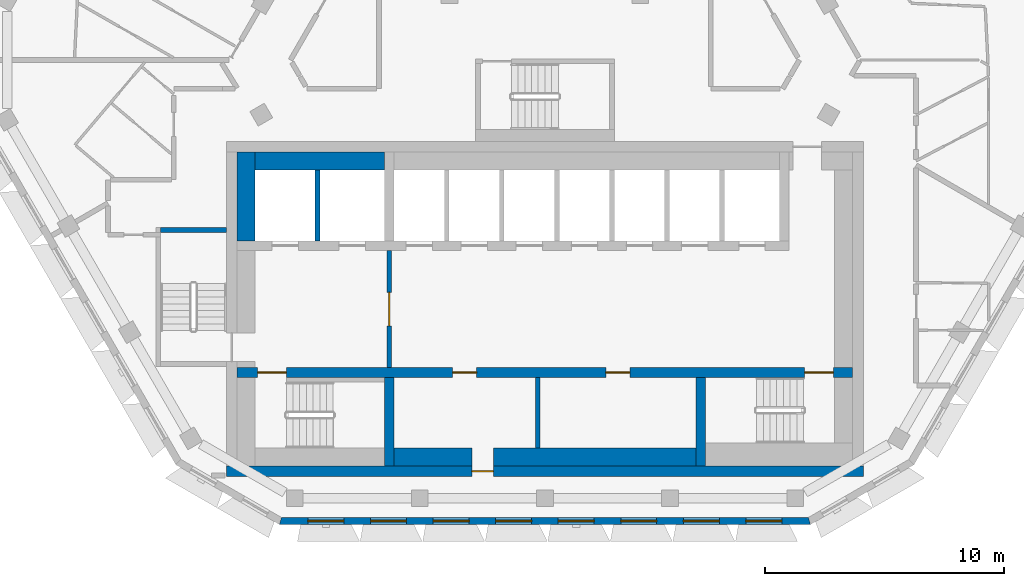
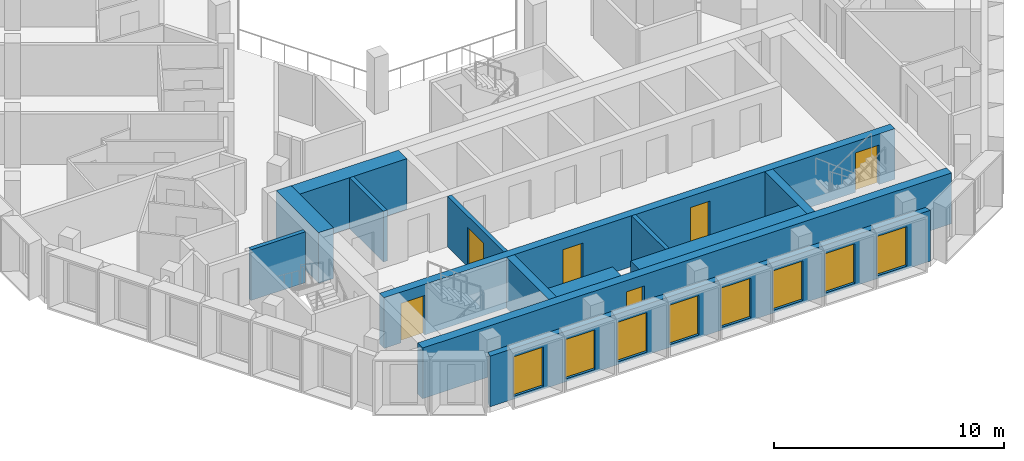
# One storey, part 3 of 16: 13 walls, 8 windows, 6 doors, 14 openings.
"""IFC4 building model written with IfcOpenShell, lengths in metres."""

from ifc_helpers import new_model, si_unit, direction, frame, frame_2d, origin, place, context, subcontext, project, spatial, polyline, rectangle, outline, extrude, material, layer, layer_set, type_object, element, fill, save


model = new_model("IFC4")

# Units and contexts
model_context = context("Model", 3, precision=1e-05, world=origin(), true_north=direction((0.0, 1.0)))
body_context = subcontext(model_context, "Body", "Model", "MODEL_VIEW")
ifc_project = project(units=[si_unit("LENGTHUNIT", "METRE"), si_unit("AREAUNIT", "SQUARE_METRE"), si_unit("VOLUMEUNIT", "CUBIC_METRE"), si_unit("PLANEANGLEUNIT", "RADIAN"), si_unit("MASSUNIT", "GRAM", prefix="KILO")], contexts=[model_context])

# Site, building, storey
site_placement = place(None, origin())
site = spatial("IfcSite", under=ifc_project, at=site_placement, CompositionType="ELEMENT")
building_placement = place(site_placement, origin())
building = spatial("IfcBuilding", under=site, at=building_placement, Name="Beryl Residences", CompositionType="ELEMENT")
storey_placement = place(building_placement, frame((0.0, 0.0, 214.800048828125)))
storey = spatial("IfcBuildingStorey", under=building, at=storey_placement, Name="L66", CompositionType="ELEMENT", Elevation=214.800048828125)

# Wall, openings, windows
ifc_material_1 = material(Name="Composite metal panel with mineral wool insulation")
ifc_layer_1 = layer(ifc_material_1, 0.300048828125)
ifc_layer_set_1 = layer_set([ifc_layer_1], Name="ES1 pale metal composite panel wall 300 mm")
wall_type_1 = type_object("IfcWallType", Name="ES1 pale metal composite panel wall 300 mm", PredefinedType="SOLIDWALL", material=ifc_layer_set_1)
wall_1_placement = place(storey_placement, frame((-11.0849609375, -20.85009765625, 0.0), z_axis=(0.0, 0.0, 1.0), x_axis=(1.0, 0.0, 0.0)))
wall_1 = element("IfcWall", 1, at=wall_1_placement, inside=storey, type_object=wall_type_1, Name="ES1 external wall L66 S", PredefinedType="SOLIDWALL", context=body_context, shape_type="SweptSolid", body=[
    extrude(outline(polyline([(0.0, -0.14990234375), (22.169921875, -0.14990234375), (22.089599609375, 0.14990234375), (0.080322265625, 0.14990234375), (0.0, -0.14990234375)])), origin(), (0.0, 0.0, 1.0), 2.699951171875),
])
opening_1_placement = place(wall_1_placement, frame((1.19091796875, 0.0, 0.14990234375)))
opening_1 = element("IfcOpeningElement", 2, at=opening_1_placement, cuts=wall_1, Name="Opening W1", PredefinedType="OPENING", context=body_context, shape_type="SweptSolid", body=[
    extrude(rectangle(XDim=1.5, YDim=2.10009765625, at=frame_2d((0.75, 1.050048828125))), frame((0.0, 0.159912109375, 0.0), z_axis=(0.0, -1.0, 0.0), x_axis=(1.0, 0.0, 0.0)), (0.0, 0.0, 1.0), 0.320068359375),
])
opening_2_placement = place(wall_1_placement, frame((3.803955078125, 0.0, 0.14990234375)))
opening_2 = element("IfcOpeningElement", 3, at=opening_2_placement, cuts=wall_1, Name="Opening W1", PredefinedType="OPENING", context=body_context, shape_type="SweptSolid", body=[
    extrude(rectangle(XDim=1.5, YDim=2.10009765625, at=frame_2d((0.75, 1.050048828125))), frame((0.0, 0.159912109375, 0.0), z_axis=(0.0, -1.0, 0.0), x_axis=(1.0, 0.0, 0.0)), (0.0, 0.0, 1.0), 0.320068359375),
])
opening_3_placement = place(wall_1_placement, frame((6.416015625, 0.0, 0.14990234375)))
opening_3 = element("IfcOpeningElement", 4, at=opening_3_placement, cuts=wall_1, Name="Opening W1", PredefinedType="OPENING", context=body_context, shape_type="SweptSolid", body=[
    extrude(rectangle(XDim=1.5, YDim=2.10009765625, at=frame_2d((0.75, 1.050048828125))), frame((0.0, 0.159912109375, 0.0), z_axis=(0.0, -1.0, 0.0), x_axis=(1.0, 0.0, 0.0)), (0.0, 0.0, 1.0), 0.320068359375),
])
opening_4_placement = place(wall_1_placement, frame((9.029052734375, 0.0, 0.14990234375)))
opening_4 = element("IfcOpeningElement", 5, at=opening_4_placement, cuts=wall_1, Name="Opening W1", PredefinedType="OPENING", context=body_context, shape_type="SweptSolid", body=[
    extrude(rectangle(XDim=1.5, YDim=2.10009765625, at=frame_2d((0.75, 1.050048828125))), frame((0.0, 0.159912109375, 0.0), z_axis=(0.0, -1.0, 0.0), x_axis=(1.0, 0.0, 0.0)), (0.0, 0.0, 1.0), 0.320068359375),
])
opening_5_placement = place(wall_1_placement, frame((11.64111328125, 0.0, 0.14990234375)))
opening_5 = element("IfcOpeningElement", 6, at=opening_5_placement, cuts=wall_1, Name="Opening W1", PredefinedType="OPENING", context=body_context, shape_type="SweptSolid", body=[
    extrude(rectangle(XDim=1.5, YDim=2.10009765625, at=frame_2d((0.75, 1.050048828125))), frame((0.0, 0.159912109375, 0.0), z_axis=(0.0, -1.0, 0.0), x_axis=(1.0, 0.0, 0.0)), (0.0, 0.0, 1.0), 0.320068359375),
])
opening_6_placement = place(wall_1_placement, frame((14.25390625, 0.0, 0.14990234375)))
opening_6 = element("IfcOpeningElement", 7, at=opening_6_placement, cuts=wall_1, Name="Opening W1", PredefinedType="OPENING", context=body_context, shape_type="SweptSolid", body=[
    extrude(rectangle(XDim=1.5, YDim=2.10009765625, at=frame_2d((0.75, 1.050048828125))), frame((0.0, 0.159912109375, 0.0), z_axis=(0.0, -1.0, 0.0), x_axis=(1.0, 0.0, 0.0)), (0.0, 0.0, 1.0), 0.320068359375),
])
opening_7_placement = place(wall_1_placement, frame((16.865966796875, 0.0, 0.14990234375)))
opening_7 = element("IfcOpeningElement", 8, at=opening_7_placement, cuts=wall_1, Name="Opening W1", PredefinedType="OPENING", context=body_context, shape_type="SweptSolid", body=[
    extrude(rectangle(XDim=1.5, YDim=2.10009765625, at=frame_2d((0.75, 1.050048828125))), frame((0.0, 0.159912109375, 0.0), z_axis=(0.0, -1.0, 0.0), x_axis=(1.0, 0.0, 0.0)), (0.0, 0.0, 1.0), 0.320068359375),
])
opening_8_placement = place(wall_1_placement, frame((19.47900390625, 0.0, 0.14990234375)))
opening_8 = element("IfcOpeningElement", 9, at=opening_8_placement, cuts=wall_1, Name="Opening W1", PredefinedType="OPENING", context=body_context, shape_type="SweptSolid", body=[
    extrude(rectangle(XDim=1.5, YDim=2.10009765625, at=frame_2d((0.75, 1.050048828125))), frame((0.0, 0.159912109375, 0.0), z_axis=(0.0, -1.0, 0.0), x_axis=(1.0, 0.0, 0.0)), (0.0, 0.0, 1.0), 0.320068359375),
])
ifc_material_2 = material(Name="Aluminium and clear glass", Category="aluminium")
window_type = type_object("IfcWindowType", Name="W1 cell window 1500 x 2100 mm", PartitioningType="SINGLE_PANEL", PredefinedType="WINDOW", material=ifc_material_2)
window_1_placement = place(opening_1_placement, origin())
window_1 = element("IfcWindow", 10, at=window_1_placement, inside=storey, type_object=window_type, Name="W1 window L66 S 1", OverallHeight=2.10009765625, OverallWidth=1.5, PartitioningType="SINGLE_PANEL", PredefinedType="WINDOW", context=body_context, shape_type="SweptSolid", body=[
    extrude(rectangle(XDim=1.5, YDim=2.10009765625, at=frame_2d((0.75, 1.050048828125))), frame((0.0, 0.030029296875, 0.0), z_axis=(0.0, -1.0, 0.0), x_axis=(1.0, 0.0, 0.0)), (0.0, 0.0, 1.0), 0.06005859375),
])
fill(opening_1, window_1)
window_2_placement = place(opening_2_placement, origin())
window_2 = element("IfcWindow", 11, at=window_2_placement, inside=storey, type_object=window_type, Name="W1 window L66 S 2", OverallHeight=2.10009765625, OverallWidth=1.5, PartitioningType="SINGLE_PANEL", PredefinedType="WINDOW", context=body_context, shape_type="SweptSolid", body=[
    extrude(rectangle(XDim=1.5, YDim=2.10009765625, at=frame_2d((0.75, 1.050048828125))), frame((0.0, 0.030029296875, 0.0), z_axis=(0.0, -1.0, 0.0), x_axis=(1.0, 0.0, 0.0)), (0.0, 0.0, 1.0), 0.06005859375),
])
fill(opening_2, window_2)
window_3_placement = place(opening_3_placement, origin())
window_3 = element("IfcWindow", 12, at=window_3_placement, inside=storey, type_object=window_type, Name="W1 window L66 S 3", OverallHeight=2.10009765625, OverallWidth=1.5, PartitioningType="SINGLE_PANEL", PredefinedType="WINDOW", context=body_context, shape_type="SweptSolid", body=[
    extrude(rectangle(XDim=1.5, YDim=2.10009765625, at=frame_2d((0.75, 1.050048828125))), frame((0.0, 0.030029296875, 0.0), z_axis=(0.0, -1.0, 0.0), x_axis=(1.0, 0.0, 0.0)), (0.0, 0.0, 1.0), 0.06005859375),
])
fill(opening_3, window_3)
window_4_placement = place(opening_4_placement, origin())
window_4 = element("IfcWindow", 13, at=window_4_placement, inside=storey, type_object=window_type, Name="W1 window L66 S 4", OverallHeight=2.10009765625, OverallWidth=1.5, PartitioningType="SINGLE_PANEL", PredefinedType="WINDOW", context=body_context, shape_type="SweptSolid", body=[
    extrude(rectangle(XDim=1.5, YDim=2.10009765625, at=frame_2d((0.75, 1.050048828125))), frame((0.0, 0.030029296875, 0.0), z_axis=(0.0, -1.0, 0.0), x_axis=(1.0, 0.0, 0.0)), (0.0, 0.0, 1.0), 0.06005859375),
])
fill(opening_4, window_4)
window_5_placement = place(opening_5_placement, origin())
window_5 = element("IfcWindow", 14, at=window_5_placement, inside=storey, type_object=window_type, Name="W1 window L66 S 5", OverallHeight=2.10009765625, OverallWidth=1.5, PartitioningType="SINGLE_PANEL", PredefinedType="WINDOW", context=body_context, shape_type="SweptSolid", body=[
    extrude(rectangle(XDim=1.5, YDim=2.10009765625, at=frame_2d((0.75, 1.050048828125))), frame((0.0, 0.030029296875, 0.0), z_axis=(0.0, -1.0, 0.0), x_axis=(1.0, 0.0, 0.0)), (0.0, 0.0, 1.0), 0.06005859375),
])
fill(opening_5, window_5)
window_6_placement = place(opening_6_placement, origin())
window_6 = element("IfcWindow", 15, at=window_6_placement, inside=storey, type_object=window_type, Name="W1 window L66 S 6", OverallHeight=2.10009765625, OverallWidth=1.5, PartitioningType="SINGLE_PANEL", PredefinedType="WINDOW", context=body_context, shape_type="SweptSolid", body=[
    extrude(rectangle(XDim=1.5, YDim=2.10009765625, at=frame_2d((0.75, 1.050048828125))), frame((0.0, 0.030029296875, 0.0), z_axis=(0.0, -1.0, 0.0), x_axis=(1.0, 0.0, 0.0)), (0.0, 0.0, 1.0), 0.06005859375),
])
fill(opening_6, window_6)
window_7_placement = place(opening_7_placement, origin())
window_7 = element("IfcWindow", 16, at=window_7_placement, inside=storey, type_object=window_type, Name="W1 window L66 S 7", OverallHeight=2.10009765625, OverallWidth=1.5, PartitioningType="SINGLE_PANEL", PredefinedType="WINDOW", context=body_context, shape_type="SweptSolid", body=[
    extrude(rectangle(XDim=1.5, YDim=2.10009765625, at=frame_2d((0.75, 1.050048828125))), frame((0.0, 0.030029296875, 0.0), z_axis=(0.0, -1.0, 0.0), x_axis=(1.0, 0.0, 0.0)), (0.0, 0.0, 1.0), 0.06005859375),
])
fill(opening_7, window_7)
window_8_placement = place(opening_8_placement, origin())
window_8 = element("IfcWindow", 17, at=window_8_placement, inside=storey, type_object=window_type, Name="W1 window L66 S 8", OverallHeight=2.10009765625, OverallWidth=1.5, PartitioningType="SINGLE_PANEL", PredefinedType="WINDOW", context=body_context, shape_type="SweptSolid", body=[
    extrude(rectangle(XDim=1.5, YDim=2.10009765625, at=frame_2d((0.75, 1.050048828125))), frame((0.0, 0.030029296875, 0.0), z_axis=(0.0, -1.0, 0.0), x_axis=(1.0, 0.0, 0.0)), (0.0, 0.0, 1.0), 0.06005859375),
])
fill(opening_8, window_8)

# Wall, opening, door
ifc_material_3 = material(Name="Concrete masonry", Category="masonry")
ifc_layer_2 = layer(ifc_material_3, 0.199951171875)
ifc_layer_set_2 = layer_set([ifc_layer_2], Name="PT13 lobby wall 200 mm")
wall_type_2 = type_object("IfcWallType", Name="PT13 lobby wall 200 mm", PredefinedType="PARTITIONING", material=ifc_layer_set_2)
wall_2_placement = place(storey_placement, frame((-6.5, -14.449951171875, 0.0), z_axis=(0.0, 0.0, 1.0), x_axis=(0.0, 1.0, 0.0)))
wall_2 = element("IfcWall", 18, at=wall_2_placement, inside=storey, type_object=wall_type_2, Name="Lobby wall 12", PredefinedType="PARTITIONING", context=body_context, shape_type="SweptSolid", body=[
    extrude(rectangle(XDim=4.89990234375, YDim=0.199951171875, at=frame_2d((2.449951171875, 0.0))), origin(), (0.0, 0.0, 1.0), 2.699951171875),
])
opening_9_placement = place(wall_2_placement, frame((3.14990234375, 0.0, 0.0), z_axis=(0.0, 0.0, 1.0), x_axis=(-1.0, 0.0, 0.0)))
opening_9 = element("IfcOpeningElement", 19, at=opening_9_placement, cuts=wall_2, Name="Opening FD-FFL", PredefinedType="OPENING", context=body_context, shape_type="SweptSolid", body=[
    extrude(rectangle(XDim=1.39990234375, YDim=2.10009765625, at=frame_2d((0.699951171875, 1.050048828125))), frame((0.0, 0.10986328125, 0.0), z_axis=(0.0, -1.0, 0.0), x_axis=(1.0, 0.0, 0.0)), (0.0, 0.0, 1.0), 0.219970703125),
])
ifc_material_4 = material(Name="Steel door leaf in steel frame", Category="steel")
door_type_1 = type_object("IfcDoorType", Name="D5 lobby door 1400 x 2100 mm", OperationType="DOUBLE_DOOR_SINGLE_SWING", PredefinedType="DOOR", material=ifc_material_4)
door_1_placement = place(opening_9_placement, origin())
door_1 = element("IfcDoor", 20, at=door_1_placement, inside=storey, type_object=door_type_1, Name="Door FD-FFL L66 001", OperationType="DOUBLE_DOOR_SINGLE_SWING", OverallHeight=2.10009765625, OverallWidth=1.39990234375, PredefinedType="DOOR", context=body_context, shape_type="SweptSolid", body=[
    extrude(rectangle(XDim=1.39990234375, YDim=2.10009765625, at=frame_2d((0.699951171875, 1.050048828125))), frame((0.0, 0.02490234375, 0.0), z_axis=(0.0, -1.0, 0.0), x_axis=(1.0, 0.0, 0.0)), (0.0, 0.0, 1.0), 0.050048828125),
])
fill(opening_9, door_1)

# Walls
ifc_material_5 = material(Name="Concrete C40/50", Category="concrete")
ifc_layer_3 = layer(ifc_material_5, 0.199951171875)
ifc_layer_set_3 = layer_set([ifc_layer_3], Name="PT5 stair enclosure wall 200 mm reinforced concrete C40/50")
wall_type_3 = type_object("IfcWallType", Name="PT5 stair enclosure wall 200 mm reinforced concrete C40/50", PredefinedType="SOLIDWALL", material=ifc_layer_set_3)
wall_3_placement = place(storey_placement, frame((-16.050048828125, -8.699951171875, 0.0), z_axis=(0.0, 0.0, 1.0), x_axis=(1.0, 0.0, 0.0)))
element("IfcWall", 21, at=wall_3_placement, inside=storey, type_object=wall_type_3, Name="Stair wall 03", PredefinedType="SOLIDWALL", context=body_context, shape_type="SweptSolid", body=[
    extrude(rectangle(XDim=2.75, YDim=0.199951171875, at=frame_2d((1.375, 0.0))), origin(), (0.0, 0.0, 1.0), 2.699951171875),
])
ifc_material_6 = material(Name="Concrete C40/50", Category="concrete")
ifc_layer_4 = layer(ifc_material_6, 0.199951171875)
ifc_layer_set_4 = layer_set([ifc_layer_4], Name="PT6 lift shaft wall 200 mm reinforced concrete C40/50")
wall_type_4 = type_object("IfcWallType", Name="PT6 lift shaft wall 200 mm reinforced concrete C40/50", PredefinedType="SOLIDWALL", material=ifc_layer_set_4)
wall_4_placement = place(storey_placement, frame((-9.5, -9.14990234375, 0.0), z_axis=(0.0, 0.0, 1.0), x_axis=(0.0, 1.0, 0.0)))
element("IfcWall", 22, at=wall_4_placement, inside=storey, type_object=wall_type_4, Name="Lift shaft wall 11", PredefinedType="SOLIDWALL", context=body_context, shape_type="SweptSolid", body=[
    extrude(rectangle(XDim=2.949951171875, YDim=0.199951171875, at=frame_2d((1.47509765625, 0.0))), origin(), (0.0, 0.0, 1.0), 2.699951171875),
])
ifc_material_7 = material(Name="Concrete C40/50", Category="concrete")
ifc_layer_5 = layer(ifc_material_7, 0.75)
ifc_layer_set_5 = layer_set([ifc_layer_5], Name="PT6-750 lift shaft wall 750 mm")
wall_type_5 = type_object("IfcWallType", Name="PT6-750 lift shaft wall 750 mm", PredefinedType="SOLIDWALL", material=ifc_layer_set_5)
wall_5_placement = place(storey_placement, frame((-12.47509765625, -9.14990234375, 0.0), z_axis=(0.0, 0.0, 1.0), x_axis=(0.0, 1.0, 0.0)))
element("IfcWall", 23, at=wall_5_placement, inside=storey, type_object=wall_type_5, Name="Lift shaft wall 07", PredefinedType="SOLIDWALL", context=body_context, shape_type="SweptSolid", body=[
    extrude(rectangle(XDim=3.699951171875, YDim=0.75, at=frame_2d((1.85009765625, 0.0))), origin(), (0.0, 0.0, 1.0), 2.699951171875),
])
wall_6_placement = place(storey_placement, frame((-12.10009765625, -5.824951171875, 0.0), z_axis=(0.0, 0.0, 1.0), x_axis=(1.0, 0.0, 0.0)))
element("IfcWall", 24, at=wall_6_placement, inside=storey, type_object=wall_type_5, Name="Lift shaft wall 09", PredefinedType="SOLIDWALL", context=body_context, shape_type="SweptSolid", body=[
    extrude(rectangle(XDim=5.400146484375, YDim=0.75, at=frame_2d((2.7001953125, 0.0))), origin(), (0.0, 0.0, 1.0), 2.699951171875),
])
ifc_material_8 = material(Name="Concrete masonry", Category="masonry")
ifc_layer_6 = layer(ifc_material_8, 0.199951171875)
ifc_layer_set_6 = layer_set([ifc_layer_6], Name="PT8-200 service room wall 200 mm")
wall_type_6 = type_object("IfcWallType", Name="PT8-200 service room wall 200 mm", PredefinedType="PARTITIONING", material=ifc_layer_set_6)
wall_7_placement = place(storey_placement, frame((-0.300048828125, -17.800048828125, 0.0), z_axis=(0.0, 0.0, 1.0), x_axis=(0.0, 1.0, 0.0)))
element("IfcWall", 25, at=wall_7_placement, inside=storey, type_object=wall_type_6, Name="Core room wall 18", PredefinedType="PARTITIONING", context=body_context, shape_type="SweptSolid", body=[
    extrude(rectangle(XDim=2.949951171875, YDim=0.199951171875, at=frame_2d((1.47509765625, 0.0))), origin(), (0.0, 0.0, 1.0), 2.699951171875),
])
ifc_material_9 = material(Name="Concrete masonry", Category="masonry")
ifc_layer_7 = layer(ifc_material_9, 0.75)
ifc_layer_set_7 = layer_set([ifc_layer_7], Name="PT8-750 service room wall 750 mm")
wall_type_7 = type_object("IfcWallType", Name="PT8-750 service room wall 750 mm", PredefinedType="PARTITIONING", material=ifc_layer_set_7)
wall_8_placement = place(storey_placement, frame((-6.300048828125, -18.175048828125, 0.0), z_axis=(0.0, 0.0, 1.0), x_axis=(1.0, 0.0, 0.0)))
element("IfcWall", 26, at=wall_8_placement, inside=storey, type_object=wall_type_7, Name="Core room wall 13", PredefinedType="PARTITIONING", context=body_context, shape_type="SweptSolid", body=[
    extrude(rectangle(XDim=3.25, YDim=0.75, at=frame_2d((1.625, 0.0))), origin(), (0.0, 0.0, 1.0), 2.699951171875),
])
wall_9_placement = place(storey_placement, frame((-2.14990234375, -18.175048828125, 0.0), z_axis=(0.0, 0.0, 1.0), x_axis=(1.0, 0.0, 0.0)))
element("IfcWall", 27, at=wall_9_placement, inside=storey, type_object=wall_type_7, Name="Core room wall 16", PredefinedType="PARTITIONING", context=body_context, shape_type="SweptSolid", body=[
    extrude(rectangle(XDim=8.449951171875, YDim=0.75, at=frame_2d((4.22509765625, 0.0))), origin(), (0.0, 0.0, 1.0), 2.699951171875),
])

# Wall, openings, doors
ifc_material_10 = material(Name="Concrete C50/60", Category="concrete")
ifc_layer_8 = layer(ifc_material_10, 0.39990234375)
ifc_layer_set_8 = layer_set([ifc_layer_8], Name="SW10 core internal wall 400 mm C50/60")
wall_type_8 = type_object("IfcWallType", Name="SW10 core internal wall 400 mm C50/60", PredefinedType="SHEAR", material=ifc_layer_set_8)
wall_10_placement = place(storey_placement, frame((-12.85009765625, -14.64990234375, 0.0), z_axis=(0.0, 0.0, 1.0), x_axis=(1.0, 0.0, 0.0)))
wall_10 = element("IfcWall", 28, at=wall_10_placement, inside=storey, type_object=wall_type_8, Name="Core wall SP1 L66", PredefinedType="SHEAR", context=body_context, shape_type="SweptSolid", body=[
    extrude(rectangle(XDim=25.7001953125, YDim=0.39990234375, at=frame_2d((12.85009765625, 0.0))), origin(), (0.0, 0.0, 1.0), 2.699951171875),
])
opening_10_placement = place(wall_10_placement, frame((2.050048828125, 0.0, 0.0), z_axis=(0.0, 0.0, 1.0), x_axis=(-1.0, 0.0, 0.0)))
opening_10 = element("IfcOpeningElement", 29, at=opening_10_placement, cuts=wall_10, Name="Opening SD-1", PredefinedType="OPENING", context=body_context, shape_type="SweptSolid", body=[
    extrude(rectangle(XDim=1.199951171875, YDim=2.10009765625, at=frame_2d((0.60009765625, 1.050048828125))), frame((0.0, 0.2099609375, 0.0), z_axis=(0.0, -1.0, 0.0), x_axis=(1.0, 0.0, 0.0)), (0.0, 0.0, 1.0), 0.419921875),
])
opening_11_placement = place(wall_10_placement, frame((24.89990234375, 0.0, 0.0), z_axis=(0.0, 0.0, 1.0), x_axis=(-1.0, 0.0, 0.0)))
opening_11 = element("IfcOpeningElement", 30, at=opening_11_placement, cuts=wall_10, Name="Opening SD-3", PredefinedType="OPENING", context=body_context, shape_type="SweptSolid", body=[
    extrude(rectangle(XDim=1.199951171875, YDim=2.10009765625, at=frame_2d((0.60009765625, 1.050048828125))), frame((0.0, 0.2099609375, 0.0), z_axis=(0.0, -1.0, 0.0), x_axis=(1.0, 0.0, 0.0)), (0.0, 0.0, 1.0), 0.419921875),
])
opening_12_placement = place(wall_10_placement, frame((10.0, 0.0, 0.0), z_axis=(0.0, 0.0, 1.0), x_axis=(-1.0, 0.0, 0.0)))
opening_12 = element("IfcOpeningElement", 31, at=opening_12_placement, cuts=wall_10, Name="Opening CD-D-S1", PredefinedType="OPENING", context=body_context, shape_type="SweptSolid", body=[
    extrude(rectangle(XDim=1.0, YDim=2.10009765625, at=frame_2d((0.5, 1.050048828125))), frame((0.0, 0.2099609375, 0.0), z_axis=(0.0, -1.0, 0.0), x_axis=(1.0, 0.0, 0.0)), (0.0, 0.0, 1.0), 0.419921875),
])
opening_13_placement = place(wall_10_placement, frame((16.39990234375, 0.0, 0.0), z_axis=(0.0, 0.0, 1.0), x_axis=(-1.0, 0.0, 0.0)))
opening_13 = element("IfcOpeningElement", 32, at=opening_13_placement, cuts=wall_10, Name="Opening CD-D-S2", PredefinedType="OPENING", context=body_context, shape_type="SweptSolid", body=[
    extrude(rectangle(XDim=1.0, YDim=2.10009765625, at=frame_2d((0.5, 1.050048828125))), frame((0.0, 0.2099609375, 0.0), z_axis=(0.0, -1.0, 0.0), x_axis=(1.0, 0.0, 0.0)), (0.0, 0.0, 1.0), 0.419921875),
])
ifc_material_11 = material(Name="Steel door leaf in steel frame", Category="steel")
door_type_2 = type_object("IfcDoorType", Name="D18 service room door 1000 x 2100 mm", OperationType="SINGLE_SWING_LEFT", PredefinedType="DOOR", material=ifc_material_11)
door_2_placement = place(opening_12_placement, origin())
door_2 = element("IfcDoor", 33, at=door_2_placement, inside=storey, type_object=door_type_2, Name="Door CD-D-S1 L66 001", OperationType="SINGLE_SWING_RIGHT", OverallHeight=2.10009765625, OverallWidth=1.0, PredefinedType="DOOR", context=body_context, shape_type="SweptSolid", body=[
    extrude(rectangle(XDim=1.0, YDim=2.10009765625, at=frame_2d((0.5, 1.050048828125))), frame((0.0, 0.02490234375, 0.0), z_axis=(0.0, -1.0, 0.0), x_axis=(1.0, 0.0, 0.0)), (0.0, 0.0, 1.0), 0.050048828125),
])
fill(opening_12, door_2)
door_3_placement = place(opening_13_placement, origin())
door_3 = element("IfcDoor", 34, at=door_3_placement, inside=storey, type_object=door_type_2, Name="Door CD-D-S2 L66 001", OperationType="SINGLE_SWING_LEFT", OverallHeight=2.10009765625, OverallWidth=1.0, PredefinedType="DOOR", context=body_context, shape_type="SweptSolid", body=[
    extrude(rectangle(XDim=1.0, YDim=2.10009765625, at=frame_2d((0.5, 1.050048828125))), frame((0.0, 0.02490234375, 0.0), z_axis=(0.0, -1.0, 0.0), x_axis=(1.0, 0.0, 0.0)), (0.0, 0.0, 1.0), 0.050048828125),
])
fill(opening_13, door_3)
ifc_material_12 = material(Name="Steel door leaf in steel frame", Category="steel")
door_type_3 = type_object("IfcDoorType", Name="D4 stair door 1200 x 2100 mm", OperationType="SINGLE_SWING_LEFT", PredefinedType="DOOR", material=ifc_material_12)
door_4_placement = place(opening_10_placement, origin())
door_4 = element("IfcDoor", 35, at=door_4_placement, inside=storey, type_object=door_type_3, Name="Door SD-1 L66 001", OperationType="SINGLE_SWING_RIGHT", OverallHeight=2.10009765625, OverallWidth=1.199951171875, PredefinedType="DOOR", context=body_context, shape_type="SweptSolid", body=[
    extrude(rectangle(XDim=1.199951171875, YDim=2.10009765625, at=frame_2d((0.60009765625, 1.050048828125))), frame((0.0, 0.02490234375, 0.0), z_axis=(0.0, -1.0, 0.0), x_axis=(1.0, 0.0, 0.0)), (0.0, 0.0, 1.0), 0.050048828125),
])
fill(opening_10, door_4)
door_5_placement = place(opening_11_placement, origin())
door_5 = element("IfcDoor", 36, at=door_5_placement, inside=storey, type_object=door_type_3, Name="Door SD-3 L66 001", OperationType="SINGLE_SWING_RIGHT", OverallHeight=2.10009765625, OverallWidth=1.199951171875, PredefinedType="DOOR", context=body_context, shape_type="SweptSolid", body=[
    extrude(rectangle(XDim=1.199951171875, YDim=2.10009765625, at=frame_2d((0.60009765625, 1.050048828125))), frame((0.0, 0.02490234375, 0.0), z_axis=(0.0, -1.0, 0.0), x_axis=(1.0, 0.0, 0.0)), (0.0, 0.0, 1.0), 0.050048828125),
])
fill(opening_11, door_5)

# Walls
for number, where, z_axis, x_axis, name in (
    (37, (-6.5, -18.550048828125, 0.0), (0.0, 0.0, 1.0), (0.0, 1.0, 0.0), "Core wall XS1 L66"),
    (38, (6.5, -18.550048828125, 0.0), (0.0, 0.0, 1.0), (0.0, 1.0, 0.0), "Core wall XS2 L66"),
):
    element("IfcWall", number, at=place(storey_placement, frame(where, z_axis=z_axis, x_axis=x_axis)), inside=storey, type_object=wall_type_8, Name=name, PredefinedType="SHEAR", context=body_context, shape_type="SweptSolid", body=[
        extrude(rectangle(XDim=3.699951171875, YDim=0.39990234375, at=frame_2d((1.85009765625, 0.0))), origin(), (0.0, 0.0, 1.0), 2.699951171875),
    ])

# Wall, opening, door
ifc_material_13 = material(Name="Concrete C50/60", Category="concrete")
ifc_layer_9 = layer(ifc_material_13, 0.449951171875)
ifc_layer_set_9 = layer_set([ifc_layer_9], Name="SW5 core outer wall 450 mm C50/60")
wall_type_9 = type_object("IfcWallType", Name="SW5 core outer wall 450 mm C50/60", PredefinedType="SHEAR", material=ifc_layer_set_9)
wall_11_placement = place(storey_placement, frame((-13.300048828125, -18.77490234375, 0.0), z_axis=(0.0, 0.0, 1.0), x_axis=(1.0, 0.0, 0.0)))
wall_11 = element("IfcWall", 39, at=wall_11_placement, inside=storey, type_object=wall_type_9, Name="Core wall S L66", PredefinedType="SHEAR", context=body_context, shape_type="SweptSolid", body=[
    extrude(rectangle(XDim=26.60009765625, YDim=0.449951171875, at=frame_2d((13.300048828125, 0.0))), origin(), (0.0, 0.0, 1.0), 2.699951171875),
])
opening_14_placement = place(wall_11_placement, frame((10.25, 0.0, 0.0)))
opening_14 = element("IfcOpeningElement", 40, at=opening_14_placement, cuts=wall_11, Name="Opening RD-RS", PredefinedType="OPENING", context=body_context, shape_type="SweptSolid", body=[
    extrude(rectangle(XDim=0.89990234375, YDim=2.10009765625, at=frame_2d((0.449951171875, 1.050048828125))), frame((0.0, 0.23486328125, 0.0), z_axis=(0.0, -1.0, 0.0), x_axis=(1.0, 0.0, 0.0)), (0.0, 0.0, 1.0), 0.469970703125),
])
ifc_material_14 = material(Name="Steel door leaf in steel frame", Category="steel")
door_type_4 = type_object("IfcDoorType", Name="D23 riser door 900 x 2100 mm", OperationType="SINGLE_SWING_LEFT", PredefinedType="DOOR", material=ifc_material_14)
door_6_placement = place(opening_14_placement, origin())
door_6 = element("IfcDoor", 41, at=door_6_placement, inside=storey, type_object=door_type_4, Name="Door RD-RS L66 001", OperationType="SINGLE_SWING_RIGHT", OverallHeight=2.10009765625, OverallWidth=0.89990234375, PredefinedType="DOOR", context=body_context, shape_type="SweptSolid", body=[
    extrude(rectangle(XDim=0.89990234375, YDim=2.10009765625, at=frame_2d((0.449951171875, 1.050048828125))), frame((0.0, 0.02490234375, 0.0), z_axis=(0.0, -1.0, 0.0), x_axis=(1.0, 0.0, 0.0)), (0.0, 0.0, 1.0), 0.050048828125),
])
fill(opening_14, door_6)

save(model, "model.ifc")
